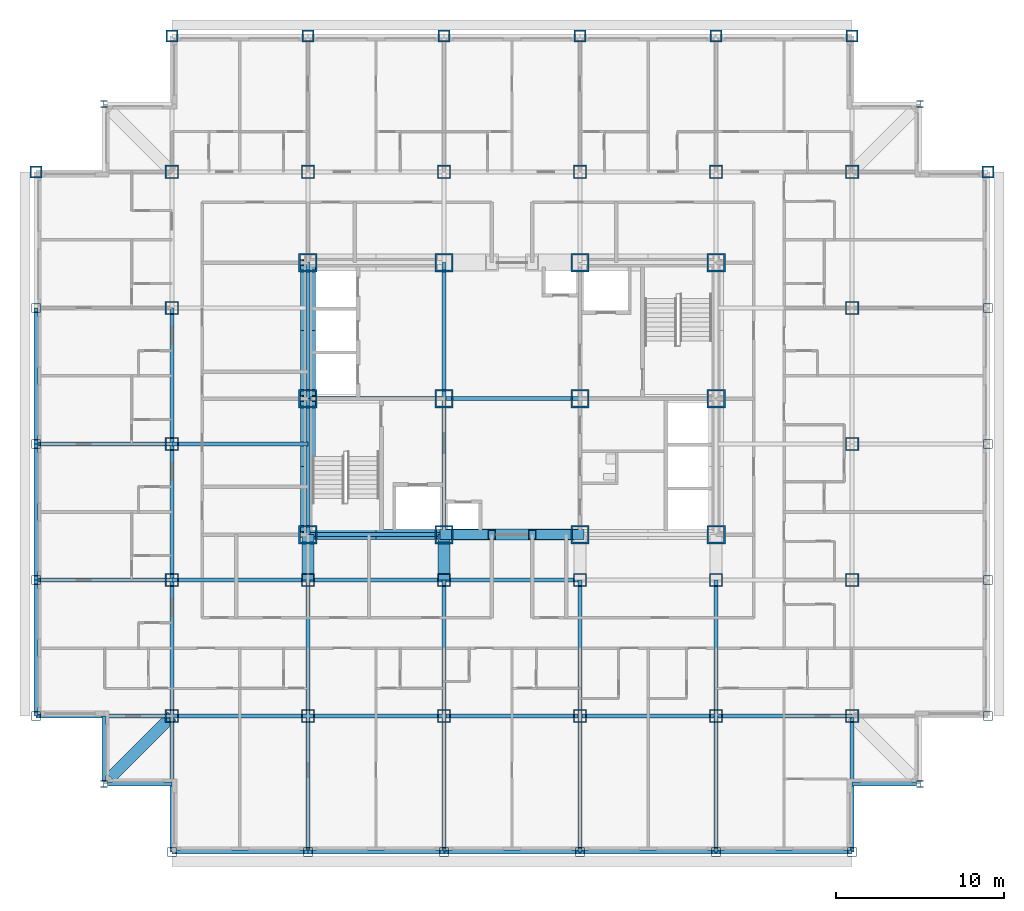
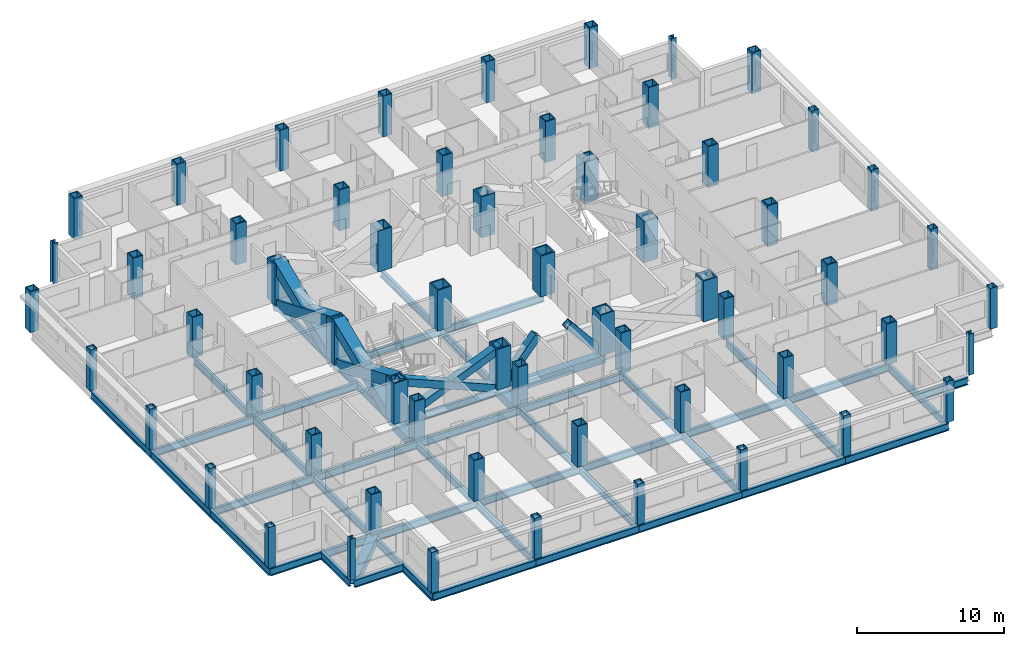
# One storey, part 1 of 14: 60 columns, 47 beams, 8 members.
"""IFC4 building model written with IfcOpenShell, lengths in metres."""

from ifc_helpers import new_model, si_unit, direction, frame, origin, origin_2d, place, context, subcontext, project, spatial, hollow_rectangle, i_section, extrude, material, material_profile, profile_set, type_object, element, save


model = new_model("IFC4")

# Units and contexts
model_context = context("Model", 3, precision=1e-05, world=origin(), true_north=direction((0.0, 1.0)))
body_context = subcontext(model_context, "Body", "Model", "MODEL_VIEW")
ifc_project = project(units=[si_unit("LENGTHUNIT", "METRE"), si_unit("AREAUNIT", "SQUARE_METRE"), si_unit("VOLUMEUNIT", "CUBIC_METRE"), si_unit("PLANEANGLEUNIT", "RADIAN"), si_unit("MASSUNIT", "GRAM", prefix="KILO")], contexts=[model_context])

# Site, building, storey
site_placement = place(None, origin())
site = spatial("IfcSite", under=ifc_project, at=site_placement, CompositionType="ELEMENT")
building_placement = place(site_placement, origin())
building = spatial("IfcBuilding", under=site, at=building_placement, Name="Kopane Lantern Tower", CompositionType="ELEMENT")
storey_placement = place(building_placement, frame((0.0, 0.0, 137.39990234375)))
storey = spatial("IfcBuildingStorey", under=building, at=storey_placement, Name="L35", CompositionType="ELEMENT", Elevation=137.39990234375)

# Columns
ifc_material_1 = material(Name="Steel S355JR", Category="steel")
ifc_material_profile_1 = material_profile(ifc_material_1, hollow_rectangle(XDim=1.10009765625, YDim=1.10009765625, WallThickness=0.10009765625, at=origin_2d()), Name="BOX 1100x1100x100")
ifc_profile_set_1 = profile_set([ifc_material_profile_1], Name="Steel S355JR")
column_type_1 = type_object("IfcColumnType", Name="COLUMN BOX 1100x1100x100", PredefinedType="COLUMN", material=ifc_profile_set_1)
for number, where, z_axis, x_axis, name in (
    (1, (16.199951171875, 24.300048828125, 0.0), (0.0, 0.0, 1.0), (1.0, 0.0, 0.0), "Column 4/E L35"),
    (2, (16.199951171875, 32.39990234375, 0.0), (0.0, 0.0, 1.0), (1.0, 0.0, 0.0), "Column 4/F L35"),
    (3, (16.199951171875, 40.5, 0.0), (0.0, 0.0, 1.0), (1.0, 0.0, 0.0), "Column 4/G L35"),
    (4, (24.300048828125, 24.300048828125, 0.0), (0.0, 0.0, 1.0), (1.0, 0.0, 0.0), "Column 5/E L35"),
    (5, (24.300048828125, 32.39990234375, 0.0), (0.0, 0.0, 1.0), (1.0, 0.0, 0.0), "Column 5/F L35"),
    (6, (24.300048828125, 40.5, 0.0), (0.0, 0.0, 1.0), (1.0, 0.0, 0.0), "Column 5/G L35"),
    (7, (32.39990234375, 24.300048828125, 0.0), (0.0, 0.0, 1.0), (1.0, 0.0, 0.0), "Column 6/E L35"),
    (8, (32.39990234375, 32.39990234375, 0.0), (0.0, 0.0, 1.0), (1.0, 0.0, 0.0), "Column 6/F L35"),
    (9, (32.39990234375, 40.5, 0.0), (0.0, 0.0, 1.0), (1.0, 0.0, 0.0), "Column 6/G L35"),
    (10, (40.5, 24.300048828125, 0.0), (0.0, 0.0, 1.0), (1.0, 0.0, 0.0), "Column 7/E L35"),
    (11, (40.5, 32.39990234375, 0.0), (0.0, 0.0, 1.0), (1.0, 0.0, 0.0), "Column 7/F L35"),
    (12, (40.5, 40.5, 0.0), (0.0, 0.0, 1.0), (1.0, 0.0, 0.0), "Column 7/G L35"),
):
    element("IfcColumn", number, at=place(storey_placement, frame(where, z_axis=z_axis, x_axis=x_axis)), inside=storey, type_object=column_type_1, Name=name, PredefinedType="COLUMN", context=body_context, shape_type="SweptSolid", body=[
        extrude(hollow_rectangle(XDim=1.10009765625, YDim=1.10009765625, WallThickness=0.10009765625, at=origin_2d()), origin(), (0.0, 0.0, 1.0), 3.400146484375),
    ])
ifc_material_2 = material(Name="Steel S355JR", Category="steel")
ifc_material_profile_2 = material_profile(ifc_material_2, hollow_rectangle(XDim=0.550048828125, YDim=0.550048828125, WallThickness=0.0400390625, at=origin_2d()), Name="BOX 550x550x40")
ifc_profile_set_2 = profile_set([ifc_material_profile_2], Name="Steel S355JR")
column_type_2 = type_object("IfcColumnType", Name="COLUMN BOX 550x550x40", PredefinedType="COLUMN", material=ifc_profile_set_2)
for number, where, z_axis, x_axis, name in (
    (13, (0.0, 13.5, 0.0), (0.0, 0.0, 1.0), (1.0, 0.0, 0.0), "Column 2/P2 L35"),
    (14, (0.0, 21.60009765625, 0.0), (0.0, 0.0, 1.0), (1.0, 0.0, 0.0), "Column 2/P3 L35"),
    (15, (0.0, 29.699951171875, 0.0), (0.0, 0.0, 1.0), (1.0, 0.0, 0.0), "Column 2/P4 L35"),
    (16, (0.0, 37.800048828125, 0.0), (0.0, 0.0, 1.0), (1.0, 0.0, 0.0), "Column 2/P5 L35"),
    (17, (8.10009765625, 5.39990234375, 0.0), (0.0, 0.0, 1.0), (1.0, 0.0, 0.0), "Column 3/P1 L35"),
    (18, (16.199951171875, 5.39990234375, 0.0), (0.0, 0.0, 1.0), (1.0, 0.0, 0.0), "Column 4/P1 L35"),
    (19, (24.300048828125, 5.39990234375, 0.0), (0.0, 0.0, 1.0), (1.0, 0.0, 0.0), "Column 5/P1 L35"),
    (20, (32.39990234375, 5.39990234375, 0.0), (0.0, 0.0, 1.0), (1.0, 0.0, 0.0), "Column 6/P1 L35"),
    (21, (40.5, 5.39990234375, 0.0), (0.0, 0.0, 1.0), (1.0, 0.0, 0.0), "Column 7/P1 L35"),
    (22, (48.60009765625, 5.39990234375, 0.0), (0.0, 0.0, 1.0), (1.0, 0.0, 0.0), "Column 8/P1 L35"),
    (23, (56.699951171875, 13.5, 0.0), (0.0, 0.0, 1.0), (1.0, 0.0, 0.0), "Column 9/P2 L35"),
    (24, (56.699951171875, 21.60009765625, 0.0), (0.0, 0.0, 1.0), (1.0, 0.0, 0.0), "Column 9/P3 L35"),
    (25, (56.699951171875, 29.699951171875, 0.0), (0.0, 0.0, 1.0), (1.0, 0.0, 0.0), "Column 9/P4 L35"),
    (26, (56.699951171875, 37.800048828125, 0.0), (0.0, 0.0, 1.0), (1.0, 0.0, 0.0), "Column 9/P5 L35"),
):
    element("IfcColumn", number, at=place(storey_placement, frame(where, z_axis=z_axis, x_axis=x_axis)), inside=storey, type_object=column_type_2, Name=name, PredefinedType="COLUMN", context=body_context, shape_type="SweptSolid", body=[
        extrude(hollow_rectangle(XDim=0.550048828125, YDim=0.550048828125, WallThickness=0.0400390625, at=origin_2d()), origin(), (0.0, 0.0, 1.0), 3.400146484375),
    ])
ifc_material_3 = material(Name="Steel S355JR", Category="steel")
ifc_material_profile_3 = material_profile(ifc_material_3, hollow_rectangle(XDim=0.699951171875, YDim=0.699951171875, WallThickness=0.070068359375, at=origin_2d()), Name="BOX 700x700x70")
ifc_profile_set_3 = profile_set([ifc_material_profile_3], Name="Steel S355JR")
column_type_3 = type_object("IfcColumnType", Name="COLUMN BOX 700x700x70", PredefinedType="COLUMN", material=ifc_profile_set_3)
for number, where, z_axis, x_axis, name in (
    (27, (0.0, 45.89990234375, 0.0), (0.0, 0.0, 1.0), (1.0, 0.0, 0.0), "Column 2/P6 L35"),
    (28, (8.10009765625, 54.0, 0.0), (0.0, 0.0, 1.0), (1.0, 0.0, 0.0), "Column 3/P7 L35"),
    (29, (16.199951171875, 54.0, 0.0), (0.0, 0.0, 1.0), (1.0, 0.0, 0.0), "Column 4/P7 L35"),
    (30, (24.300048828125, 54.0, 0.0), (0.0, 0.0, 1.0), (1.0, 0.0, 0.0), "Column 5/P7 L35"),
    (31, (32.39990234375, 54.0, 0.0), (0.0, 0.0, 1.0), (1.0, 0.0, 0.0), "Column 6/P7 L35"),
    (32, (40.5, 54.0, 0.0), (0.0, 0.0, 1.0), (1.0, 0.0, 0.0), "Column 7/P7 L35"),
    (33, (48.60009765625, 54.0, 0.0), (0.0, 0.0, 1.0), (1.0, 0.0, 0.0), "Column 8/P7 L35"),
    (34, (56.699951171875, 45.89990234375, 0.0), (0.0, 0.0, 1.0), (1.0, 0.0, 0.0), "Column 9/P6 L35"),
):
    element("IfcColumn", number, at=place(storey_placement, frame(where, z_axis=z_axis, x_axis=x_axis)), inside=storey, type_object=column_type_3, Name=name, PredefinedType="COLUMN", context=body_context, shape_type="SweptSolid", body=[
        extrude(hollow_rectangle(XDim=0.699951171875, YDim=0.699951171875, WallThickness=0.070068359375, at=origin_2d()), origin(), (0.0, 0.0, 1.0), 3.400146484375),
    ])
ifc_material_4 = material(Name="Steel S355JR", Category="steel")
ifc_material_profile_4 = material_profile(ifc_material_4, hollow_rectangle(XDim=0.800048828125, YDim=0.800048828125, WallThickness=0.080078125, at=origin_2d()), Name="BOX 800x800x80")
ifc_profile_set_4 = profile_set([ifc_material_profile_4], Name="Steel S355JR")
column_type_4 = type_object("IfcColumnType", Name="COLUMN BOX 800x800x80", PredefinedType="COLUMN", material=ifc_profile_set_4)
for number, where, z_axis, x_axis, name in (
    (35, (8.10009765625, 13.5, 0.0), (0.0, 0.0, 1.0), (1.0, 0.0, 0.0), "Column 3/P2 L35"),
    (36, (8.10009765625, 21.60009765625, 0.0), (0.0, 0.0, 1.0), (1.0, 0.0, 0.0), "Column 3/P3 L35"),
    (37, (8.10009765625, 29.699951171875, 0.0), (0.0, 0.0, 1.0), (1.0, 0.0, 0.0), "Column 3/P4 L35"),
    (38, (8.10009765625, 37.800048828125, 0.0), (0.0, 0.0, 1.0), (1.0, 0.0, 0.0), "Column 3/P5 L35"),
    (39, (8.10009765625, 45.89990234375, 0.0), (0.0, 0.0, 1.0), (1.0, 0.0, 0.0), "Column 3/P6 L35"),
    (40, (16.199951171875, 13.5, 0.0), (0.0, 0.0, 1.0), (1.0, 0.0, 0.0), "Column 4/P2 L35"),
    (41, (16.199951171875, 21.60009765625, 0.0), (0.0, 0.0, 1.0), (1.0, 0.0, 0.0), "Column 4/P3 L35"),
    (42, (16.199951171875, 45.89990234375, 0.0), (0.0, 0.0, 1.0), (1.0, 0.0, 0.0), "Column 4/P6 L35"),
    (43, (24.300048828125, 13.5, 0.0), (0.0, 0.0, 1.0), (1.0, 0.0, 0.0), "Column 5/P2 L35"),
    (44, (24.300048828125, 21.60009765625, 0.0), (0.0, 0.0, 1.0), (1.0, 0.0, 0.0), "Column 5/P3 L35"),
    (45, (24.300048828125, 45.89990234375, 0.0), (0.0, 0.0, 1.0), (1.0, 0.0, 0.0), "Column 5/P6 L35"),
    (46, (32.39990234375, 13.5, 0.0), (0.0, 0.0, 1.0), (1.0, 0.0, 0.0), "Column 6/P2 L35"),
    (47, (32.39990234375, 21.60009765625, 0.0), (0.0, 0.0, 1.0), (1.0, 0.0, 0.0), "Column 6/P3 L35"),
    (48, (32.39990234375, 45.89990234375, 0.0), (0.0, 0.0, 1.0), (1.0, 0.0, 0.0), "Column 6/P6 L35"),
    (49, (40.5, 13.5, 0.0), (0.0, 0.0, 1.0), (1.0, 0.0, 0.0), "Column 7/P2 L35"),
    (50, (40.5, 21.60009765625, 0.0), (0.0, 0.0, 1.0), (1.0, 0.0, 0.0), "Column 7/P3 L35"),
    (51, (40.5, 45.89990234375, 0.0), (0.0, 0.0, 1.0), (1.0, 0.0, 0.0), "Column 7/P6 L35"),
    (52, (48.60009765625, 13.5, 0.0), (0.0, 0.0, 1.0), (1.0, 0.0, 0.0), "Column 8/P2 L35"),
    (53, (48.60009765625, 21.60009765625, 0.0), (0.0, 0.0, 1.0), (1.0, 0.0, 0.0), "Column 8/P3 L35"),
    (54, (48.60009765625, 29.699951171875, 0.0), (0.0, 0.0, 1.0), (1.0, 0.0, 0.0), "Column 8/P4 L35"),
    (55, (48.60009765625, 37.800048828125, 0.0), (0.0, 0.0, 1.0), (1.0, 0.0, 0.0), "Column 8/P5 L35"),
    (56, (48.60009765625, 45.89990234375, 0.0), (0.0, 0.0, 1.0), (1.0, 0.0, 0.0), "Column 8/P6 L35"),
):
    element("IfcColumn", number, at=place(storey_placement, frame(where, z_axis=z_axis, x_axis=x_axis)), inside=storey, type_object=column_type_4, Name=name, PredefinedType="COLUMN", context=body_context, shape_type="SweptSolid", body=[
        extrude(hollow_rectangle(XDim=0.800048828125, YDim=0.800048828125, WallThickness=0.080078125, at=origin_2d()), origin(), (0.0, 0.0, 1.0), 3.400146484375),
    ])
ifc_material_5 = material(Name="Steel S355JR", Category="steel")
ifc_material_profile_5 = material_profile(ifc_material_5, i_section(OverallWidth=0.406982421875, OverallDepth=0.4189453125, WebThickness=0.030517578125, FlangeThickness=0.04931640625, FilletRadius=0.01513671875, at=origin_2d()), Name="UC 356x406x393")
ifc_profile_set_5 = profile_set([ifc_material_profile_5], Name="Steel S355JR")
column_type_5 = type_object("IfcColumnType", Name="COLUMN UC 356x406x393", PredefinedType="COLUMN", material=ifc_profile_set_5)
for number, where, z_axis, x_axis, name in (
    (57, (4.050048828125, 9.449951171875, 0.0), (0.0, 0.0, 1.0), (1.0, 0.0, 0.0), "Column 4.05/9.45 L35"),
    (58, (4.050048828125, 49.949951171875, 0.0), (0.0, 0.0, 1.0), (1.0, 0.0, 0.0), "Column 4.05/49.95 L35"),
    (59, (52.64990234375, 9.449951171875, 0.0), (0.0, 0.0, 1.0), (1.0, 0.0, 0.0), "Column 52.65/9.45 L35"),
    (60, (52.64990234375, 49.949951171875, 0.0), (0.0, 0.0, 1.0), (1.0, 0.0, 0.0), "Column 52.65/49.95 L35"),
):
    element("IfcColumn", number, at=place(storey_placement, frame(where, z_axis=z_axis, x_axis=x_axis)), inside=storey, type_object=column_type_5, Name=name, PredefinedType="COLUMN", context=body_context, shape_type="SweptSolid", body=[
        extrude(i_section(OverallWidth=0.406982421875, OverallDepth=0.4189453125, WebThickness=0.030517578125, FlangeThickness=0.04931640625, FilletRadius=0.01513671875, at=origin_2d()), origin(), (0.0, 0.0, 1.0), 3.400146484375),
    ])

# Members
ifc_material_6 = material(Name="Steel S355JR", Category="steel")
ifc_material_profile_6 = material_profile(ifc_material_6, hollow_rectangle(XDim=0.60009765625, YDim=0.60009765625, WallThickness=0.050048828125, at=origin_2d()), Name="BOX 600x600x50")
ifc_profile_set_6 = profile_set([ifc_material_profile_6], Name="Steel S355JR")
member_type_1 = type_object("IfcMemberType", Name="BRACE BOX 600x600x50", PredefinedType="BRACE", material=ifc_profile_set_6)
for number, where, z_axis, x_axis, name in (
    (61, (16.199951171875, 24.300048828125, -0.2099609375), (0.92205908274, 0.0, 0.387049154419), (0.0, 1.0, 0.0), "Core brace L35"),
    (62, (24.300048828125, 24.300048828125, -0.2099609375), (-0.92205908274, 0.0, 0.387049154419), (0.0, -1.0, 0.0), "Core brace L35"),
):
    element("IfcMember", number, at=place(storey_placement, frame(where, z_axis=z_axis, x_axis=x_axis)), inside=storey, type_object=member_type_1, Name=name, PredefinedType="BRACE", context=body_context, shape_type="SweptSolid", body=[
        extrude(hollow_rectangle(XDim=0.60009765625, YDim=0.60009765625, WallThickness=0.050048828125, at=origin_2d()), origin(), (0.0, 0.0, 1.0), 8.784912109375),
    ])
for number, where, z_axis, x_axis, name in (
    (63, (24.300048828125, 24.300048828125, -0.2099609375), (0.642363165114, 0.0, 0.766400394118), (0.0, 1.0, 0.0), "Core brace L35"),
    (64, (32.39990234375, 24.300048828125, -0.2099609375), (-0.642363165114, 0.0, 0.766400394118), (0.0, -1.0, 0.0), "Core brace L35"),
):
    element("IfcMember", number, at=place(storey_placement, frame(where, z_axis=z_axis, x_axis=x_axis)), inside=storey, type_object=member_type_1, Name=name, PredefinedType="BRACE", context=body_context, shape_type="SweptSolid", body=[
        extrude(hollow_rectangle(XDim=0.60009765625, YDim=0.60009765625, WallThickness=0.050048828125, at=origin_2d()), origin(), (0.0, 0.0, 1.0), 4.4365234375),
    ])
ifc_material_7 = material(Name="Steel S355JR", Category="steel")
ifc_material_profile_7 = material_profile(ifc_material_7, hollow_rectangle(XDim=0.89990234375, YDim=0.89990234375, WallThickness=0.090087890625, at=origin_2d()), Name="BOX 900x900x90")
ifc_profile_set_7 = profile_set([ifc_material_profile_7], Name="Steel S355JR")
member_type_2 = type_object("IfcMemberType", Name="BRACE BOX 900x900x90", PredefinedType="BRACE", material=ifc_profile_set_7)
for number, where, z_axis, x_axis, name in (
    (65, (16.199951171875, 24.300048828125, -0.2099609375), (0.0, 0.92205491925, 0.387059072864), (-1.0, 0.0, 0.0), "Core brace L35"),
    (66, (16.199951171875, 32.39990234375, -0.2099609375), (0.0, -0.92205491925, 0.387059072864), (1.0, 0.0, 0.0), "Core brace L35"),
):
    element("IfcMember", number, at=place(storey_placement, frame(where, z_axis=z_axis, x_axis=x_axis)), inside=storey, type_object=member_type_2, Name=name, PredefinedType="BRACE", context=body_context, shape_type="SweptSolid", body=[
        extrude(hollow_rectangle(XDim=0.89990234375, YDim=0.89990234375, WallThickness=0.090087890625, at=origin_2d()), origin(), (0.0, 0.0, 1.0), 8.78466796875),
    ])
for number, where, z_axis, x_axis, name in (
    (67, (16.199951171875, 32.39990234375, -0.2099609375), (0.0, 0.92205908274, 0.387049154419), (-1.0, 0.0, 0.0), "Core brace L35"),
    (68, (16.199951171875, 40.5, -0.2099609375), (0.0, -0.92205908274, 0.387049154419), (1.0, 0.0, 0.0), "Core brace L35"),
):
    element("IfcMember", number, at=place(storey_placement, frame(where, z_axis=z_axis, x_axis=x_axis)), inside=storey, type_object=member_type_2, Name=name, PredefinedType="BRACE", context=body_context, shape_type="SweptSolid", body=[
        extrude(hollow_rectangle(XDim=0.89990234375, YDim=0.89990234375, WallThickness=0.090087890625, at=origin_2d()), origin(), (0.0, 0.0, 1.0), 8.784912109375),
    ])

# Beams
ifc_material_8 = material(Name="Steel S355JR", Category="steel")
ifc_material_profile_8 = material_profile(ifc_material_8, i_section(OverallWidth=0.22900390625, OverallDepth=0.6123046875, WebThickness=0.011962890625, FlangeThickness=0.01953125, FilletRadius=0.0126953125, at=origin_2d()), Name="UB 610x229x125")
ifc_profile_set_8 = profile_set([ifc_material_profile_8], Name="Steel S355JR")
beam_type_1 = type_object("IfcBeamType", Name="CORE BEAM UB 610x229x125", PredefinedType="BEAM", material=ifc_profile_set_8)
beam_1_placement = place(storey_placement, frame((16.199951171875, 32.39990234375, -0.51611328125), z_axis=(1.0, 0.0, 0.0), x_axis=(0.0, 1.0, 0.0)))
element("IfcBeam", 69, at=beam_1_placement, inside=storey, type_object=beam_type_1, Name="Core Beam L35", PredefinedType="BEAM", context=body_context, shape_type="SweptSolid", body=[
    extrude(i_section(OverallWidth=0.22900390625, OverallDepth=0.6123046875, WebThickness=0.011962890625, FlangeThickness=0.01953125, FilletRadius=0.0126953125, at=origin_2d()), origin(), (0.0, 0.0, 1.0), 8.10009765625),
])
beam_2_placement = place(storey_placement, frame((24.300048828125, 24.300048828125, -0.51611328125), z_axis=(0.0, 1.0, 0.0), x_axis=(-1.0, 0.0, 0.0)))
element("IfcBeam", 70, at=beam_2_placement, inside=storey, type_object=beam_type_1, Name="Core Beam L35", PredefinedType="BEAM", context=body_context, shape_type="SweptSolid", body=[
    extrude(i_section(OverallWidth=0.22900390625, OverallDepth=0.6123046875, WebThickness=0.011962890625, FlangeThickness=0.01953125, FilletRadius=0.0126953125, at=origin_2d()), origin(), (0.0, 0.0, 1.0), 8.099853515625),
])
beam_3_placement = place(storey_placement, frame((24.300048828125, 32.39990234375, -0.51611328125), z_axis=(0.0, 1.0, 0.0), x_axis=(-1.0, 0.0, 0.0)))
element("IfcBeam", 71, at=beam_3_placement, inside=storey, type_object=beam_type_1, Name="Core Beam L35", PredefinedType="BEAM", context=body_context, shape_type="SweptSolid", body=[
    extrude(i_section(OverallWidth=0.22900390625, OverallDepth=0.6123046875, WebThickness=0.011962890625, FlangeThickness=0.01953125, FilletRadius=0.0126953125, at=origin_2d()), origin(), (0.0, 0.0, 1.0), 8.10009765625),
])
beam_4_placement = place(storey_placement, frame((24.300048828125, 32.39990234375, -0.51611328125), z_axis=(1.0, 0.0, 0.0), x_axis=(0.0, 1.0, 0.0)))
element("IfcBeam", 72, at=beam_4_placement, inside=storey, type_object=beam_type_1, Name="Core Beam L35", PredefinedType="BEAM", context=body_context, shape_type="SweptSolid", body=[
    extrude(i_section(OverallWidth=0.22900390625, OverallDepth=0.6123046875, WebThickness=0.011962890625, FlangeThickness=0.01953125, FilletRadius=0.0126953125, at=origin_2d()), origin(), (0.0, 0.0, 1.0), 8.099853515625),
])
ifc_material_9 = material(Name="Steel S355JR", Category="steel")
ifc_material_profile_9 = material_profile(ifc_material_9, hollow_rectangle(XDim=0.699951171875, YDim=0.699951171875, WallThickness=0.06005859375, at=origin_2d()), Name="BOX 700x700x60")
ifc_profile_set_9 = profile_set([ifc_material_profile_9], Name="Steel S355JR")
beam_type_2 = type_object("IfcBeamType", Name="CORNER TIE BEAM BOX 700x700x60", PredefinedType="BEAM", material=ifc_profile_set_9)
beam_5_placement = place(storey_placement, frame((4.447509765625, 9.847412109375, -0.559814453125), z_axis=(0.707106781187, 0.707106781187, 0.0), x_axis=(-0.707106781187, 0.707106781187, 0.0)))
element("IfcBeam", 73, at=beam_5_placement, inside=storey, type_object=beam_type_2, Name="Corner Tie Beam L35", PredefinedType="BEAM", context=body_context, shape_type="SweptSolid", body=[
    extrude(hollow_rectangle(XDim=0.699951171875, YDim=0.699951171875, WallThickness=0.06005859375, at=origin_2d()), origin(), (0.0, 0.0, 1.0), 5.16552734375),
])
ifc_material_10 = material(Name="Steel S355JR", Category="steel")
ifc_material_profile_10 = material_profile(ifc_material_10, i_section(OverallWidth=0.22900390625, OverallDepth=0.6123046875, WebThickness=0.011962890625, FlangeThickness=0.01953125, FilletRadius=0.0126953125, at=origin_2d()), Name="UB 610x229x125")
ifc_profile_set_10 = profile_set([ifc_material_profile_10], Name="Steel S355JR")
beam_type_3 = type_object("IfcBeamType", Name="EDGE BEAM UB 610x229x125", PredefinedType="BEAM", material=ifc_profile_set_10)
beam_6_placement = place(storey_placement, frame((4.050048828125, 9.653564453125, -0.51611328125), z_axis=(0.0, 1.0, 0.0), x_axis=(-1.0, 0.0, 0.0)))
element("IfcBeam", 74, at=beam_6_placement, inside=storey, type_object=beam_type_3, Name="Edge Beam L35", PredefinedType="BEAM", context=body_context, shape_type="SweptSolid", body=[
    extrude(i_section(OverallWidth=0.22900390625, OverallDepth=0.6123046875, WebThickness=0.011962890625, FlangeThickness=0.01953125, FilletRadius=0.0126953125, at=origin_2d()), origin(), (0.0, 0.0, 1.0), 3.846435546875),
])
beam_7_placement = place(storey_placement, frame((4.25341796875, 9.449951171875, -0.51611328125), z_axis=(1.0, 0.0, 0.0), x_axis=(0.0, 1.0, 0.0)))
element("IfcBeam", 75, at=beam_7_placement, inside=storey, type_object=beam_type_3, Name="Edge Beam L35", PredefinedType="BEAM", context=body_context, shape_type="SweptSolid", body=[
    extrude(i_section(OverallWidth=0.22900390625, OverallDepth=0.6123046875, WebThickness=0.011962890625, FlangeThickness=0.01953125, FilletRadius=0.0126953125, at=origin_2d()), origin(), (0.0, 0.0, 1.0), 3.8466796875),
])
beam_8_placement = place(storey_placement, frame((52.446533203125, 9.449951171875, -0.51611328125), z_axis=(-1.0, 0.0, 0.0), x_axis=(0.0, -1.0, 0.0)))
element("IfcBeam", 76, at=beam_8_placement, inside=storey, type_object=beam_type_3, Name="Edge Beam L35", PredefinedType="BEAM", context=body_context, shape_type="SweptSolid", body=[
    extrude(i_section(OverallWidth=0.22900390625, OverallDepth=0.6123046875, WebThickness=0.011962890625, FlangeThickness=0.01953125, FilletRadius=0.0126953125, at=origin_2d()), origin(), (0.0, 0.0, 1.0), 3.846435546875),
])
ifc_material_11 = material(Name="Steel S355JR", Category="steel")
ifc_material_profile_11 = material_profile(ifc_material_11, hollow_rectangle(XDim=0.699951171875, YDim=0.699951171875, WallThickness=0.06005859375, at=origin_2d()), Name="BOX 700x700x60")
ifc_profile_set_11 = profile_set([ifc_material_profile_11], Name="Steel S355JR")
beam_type_4 = type_object("IfcBeamType", Name="GIRDER BOX 700x700x60", PredefinedType="BEAM", material=ifc_profile_set_11)
for number, where, z_axis, x_axis, name in (
    (77, (16.199951171875, 21.60009765625, -0.559814453125), (0.0, 1.0, 0.0), (-1.0, 0.0, 0.0), "Girder L35"),
    (78, (24.300048828125, 21.60009765625, -0.559814453125), (0.0, 1.0, 0.0), (-1.0, 0.0, 0.0), "Girder L35"),
):
    element("IfcBeam", number, at=place(storey_placement, frame(where, z_axis=z_axis, x_axis=x_axis)), inside=storey, type_object=beam_type_4, Name=name, PredefinedType="BEAM", context=body_context, shape_type="SweptSolid", body=[
        extrude(hollow_rectangle(XDim=0.699951171875, YDim=0.699951171875, WallThickness=0.06005859375, at=origin_2d()), origin(), (0.0, 0.0, 1.0), 2.699951171875),
    ])
ifc_material_12 = material(Name="Steel S355JR", Category="steel")
ifc_material_profile_12 = material_profile(ifc_material_12, i_section(OverallWidth=0.22900390625, OverallDepth=0.6123046875, WebThickness=0.011962890625, FlangeThickness=0.01953125, FilletRadius=0.0126953125, at=origin_2d()), Name="UB 610x229x125")
ifc_profile_set_12 = profile_set([ifc_material_profile_12], Name="Steel S355JR")
beam_type_5 = type_object("IfcBeamType", Name="GIRDER UB 610x229x125", PredefinedType="BEAM", material=ifc_profile_set_12)
for number, where, z_axis, x_axis, name in (
    (79, (0.0, 13.5, -0.51611328125), (0.0, 1.0, 0.0), (-1.0, 0.0, 0.0), "Girder L35"),
    (80, (0.0, 13.5, -0.51611328125), (1.0, 0.0, 0.0), (0.0, 1.0, 0.0), "Girder L35"),
):
    element("IfcBeam", number, at=place(storey_placement, frame(where, z_axis=z_axis, x_axis=x_axis)), inside=storey, type_object=beam_type_5, Name=name, PredefinedType="BEAM", context=body_context, shape_type="SweptSolid", body=[
        extrude(i_section(OverallWidth=0.22900390625, OverallDepth=0.6123046875, WebThickness=0.011962890625, FlangeThickness=0.01953125, FilletRadius=0.0126953125, at=origin_2d()), origin(), (0.0, 0.0, 1.0), 8.10009765625),
    ])
beam_9_placement = place(storey_placement, frame((0.0, 21.60009765625, -0.51611328125), z_axis=(0.0, 1.0, 0.0), x_axis=(-1.0, 0.0, 0.0)))
element("IfcBeam", 81, at=beam_9_placement, inside=storey, type_object=beam_type_5, Name="Girder L35", PredefinedType="BEAM", context=body_context, shape_type="SweptSolid", body=[
    extrude(i_section(OverallWidth=0.22900390625, OverallDepth=0.6123046875, WebThickness=0.011962890625, FlangeThickness=0.01953125, FilletRadius=0.0126953125, at=origin_2d()), origin(), (0.0, 0.0, 1.0), 8.099853515625),
])
for number, where, z_axis, x_axis, name in (
    (82, (0.0, 21.60009765625, -0.51611328125), (1.0, 0.0, 0.0), (0.0, 1.0, 0.0), "Girder L35"),
    (83, (0.0, 29.699951171875, -0.51611328125), (0.0, 1.0, 0.0), (-1.0, 0.0, 0.0), "Girder L35"),
    (84, (0.0, 29.699951171875, -0.51611328125), (1.0, 0.0, 0.0), (0.0, 1.0, 0.0), "Girder L35"),
    (85, (8.10009765625, 5.39990234375, -0.51611328125), (0.0, 1.0, 0.0), (-1.0, 0.0, 0.0), "Girder L35"),
):
    element("IfcBeam", number, at=place(storey_placement, frame(where, z_axis=z_axis, x_axis=x_axis)), inside=storey, type_object=beam_type_5, Name=name, PredefinedType="BEAM", context=body_context, shape_type="SweptSolid", body=[
        extrude(i_section(OverallWidth=0.22900390625, OverallDepth=0.6123046875, WebThickness=0.011962890625, FlangeThickness=0.01953125, FilletRadius=0.0126953125, at=origin_2d()), origin(), (0.0, 0.0, 1.0), 8.10009765625),
    ])
beam_10_placement = place(storey_placement, frame((8.10009765625, 5.39990234375, -0.51611328125), z_axis=(1.0, 0.0, 0.0), x_axis=(0.0, 1.0, 0.0)))
element("IfcBeam", 86, at=beam_10_placement, inside=storey, type_object=beam_type_5, Name="Girder L35", PredefinedType="BEAM", context=body_context, shape_type="SweptSolid", body=[
    extrude(i_section(OverallWidth=0.22900390625, OverallDepth=0.6123046875, WebThickness=0.011962890625, FlangeThickness=0.01953125, FilletRadius=0.0126953125, at=origin_2d()), origin(), (0.0, 0.0, 1.0), 8.099853515625),
])
beam_11_placement = place(storey_placement, frame((8.10009765625, 13.5, -0.51611328125), z_axis=(0.0, 1.0, 0.0), x_axis=(-1.0, 0.0, 0.0)))
element("IfcBeam", 87, at=beam_11_placement, inside=storey, type_object=beam_type_5, Name="Girder L35", PredefinedType="BEAM", context=body_context, shape_type="SweptSolid", body=[
    extrude(i_section(OverallWidth=0.22900390625, OverallDepth=0.6123046875, WebThickness=0.011962890625, FlangeThickness=0.01953125, FilletRadius=0.0126953125, at=origin_2d()), origin(), (0.0, 0.0, 1.0), 8.10009765625),
])
for number, where, z_axis, x_axis, name in (
    (88, (8.10009765625, 13.5, -0.51611328125), (1.0, 0.0, 0.0), (0.0, 1.0, 0.0), "Girder L35"),
    (89, (8.10009765625, 21.60009765625, -0.51611328125), (0.0, 1.0, 0.0), (-1.0, 0.0, 0.0), "Girder L35"),
    (90, (8.10009765625, 21.60009765625, -0.51611328125), (1.0, 0.0, 0.0), (0.0, 1.0, 0.0), "Girder L35"),
):
    element("IfcBeam", number, at=place(storey_placement, frame(where, z_axis=z_axis, x_axis=x_axis)), inside=storey, type_object=beam_type_5, Name=name, PredefinedType="BEAM", context=body_context, shape_type="SweptSolid", body=[
        extrude(i_section(OverallWidth=0.22900390625, OverallDepth=0.6123046875, WebThickness=0.011962890625, FlangeThickness=0.01953125, FilletRadius=0.0126953125, at=origin_2d()), origin(), (0.0, 0.0, 1.0), 8.099853515625),
    ])
beam_12_placement = place(storey_placement, frame((8.10009765625, 29.699951171875, -0.51611328125), z_axis=(0.0, 1.0, 0.0), x_axis=(-1.0, 0.0, 0.0)))
element("IfcBeam", 91, at=beam_12_placement, inside=storey, type_object=beam_type_5, Name="Girder L35", PredefinedType="BEAM", context=body_context, shape_type="SweptSolid", body=[
    extrude(i_section(OverallWidth=0.22900390625, OverallDepth=0.6123046875, WebThickness=0.011962890625, FlangeThickness=0.01953125, FilletRadius=0.0126953125, at=origin_2d()), origin(), (0.0, 0.0, 1.0), 8.10009765625),
])
beam_13_placement = place(storey_placement, frame((8.10009765625, 29.699951171875, -0.51611328125), z_axis=(1.0, 0.0, 0.0), x_axis=(0.0, 1.0, 0.0)))
element("IfcBeam", 92, at=beam_13_placement, inside=storey, type_object=beam_type_5, Name="Girder L35", PredefinedType="BEAM", context=body_context, shape_type="SweptSolid", body=[
    extrude(i_section(OverallWidth=0.22900390625, OverallDepth=0.6123046875, WebThickness=0.011962890625, FlangeThickness=0.01953125, FilletRadius=0.0126953125, at=origin_2d()), origin(), (0.0, 0.0, 1.0), 8.099853515625),
])
for number, where, z_axis, x_axis, name in (
    (93, (16.199951171875, 5.39990234375, -0.51611328125), (0.0, 1.0, 0.0), (-1.0, 0.0, 0.0), "Girder L35"),
    (94, (16.199951171875, 5.39990234375, -0.51611328125), (1.0, 0.0, 0.0), (0.0, 1.0, 0.0), "Girder L35"),
    (95, (16.199951171875, 13.5, -0.51611328125), (0.0, 1.0, 0.0), (-1.0, 0.0, 0.0), "Girder L35"),
    (96, (16.199951171875, 13.5, -0.51611328125), (1.0, 0.0, 0.0), (0.0, 1.0, 0.0), "Girder L35"),
    (97, (16.199951171875, 21.60009765625, -0.51611328125), (1.0, 0.0, 0.0), (0.0, 1.0, 0.0), "Girder L35"),
):
    element("IfcBeam", number, at=place(storey_placement, frame(where, z_axis=z_axis, x_axis=x_axis)), inside=storey, type_object=beam_type_5, Name=name, PredefinedType="BEAM", context=body_context, shape_type="SweptSolid", body=[
        extrude(i_section(OverallWidth=0.22900390625, OverallDepth=0.6123046875, WebThickness=0.011962890625, FlangeThickness=0.01953125, FilletRadius=0.0126953125, at=origin_2d()), origin(), (0.0, 0.0, 1.0), 8.10009765625),
    ])
beam_14_placement = place(storey_placement, frame((16.199951171875, 24.300048828125, -0.51611328125), z_axis=(0.0, 1.0, 0.0), x_axis=(-1.0, 0.0, 0.0)))
element("IfcBeam", 98, at=beam_14_placement, inside=storey, type_object=beam_type_5, Name="Girder L35", PredefinedType="BEAM", context=body_context, shape_type="SweptSolid", body=[
    extrude(i_section(OverallWidth=0.22900390625, OverallDepth=0.6123046875, WebThickness=0.011962890625, FlangeThickness=0.01953125, FilletRadius=0.0126953125, at=origin_2d()), origin(), (0.0, 0.0, 1.0), 8.099853515625),
])
for number, where, z_axis, x_axis, name in (
    (99, (16.199951171875, 24.300048828125, -0.51611328125), (1.0, 0.0, 0.0), (0.0, 1.0, 0.0), "Girder L35"),
    (100, (16.199951171875, 32.39990234375, -0.51611328125), (0.0, 1.0, 0.0), (-1.0, 0.0, 0.0), "Girder L35"),
    (101, (24.300048828125, 5.39990234375, -0.51611328125), (0.0, 1.0, 0.0), (-1.0, 0.0, 0.0), "Girder L35"),
):
    element("IfcBeam", number, at=place(storey_placement, frame(where, z_axis=z_axis, x_axis=x_axis)), inside=storey, type_object=beam_type_5, Name=name, PredefinedType="BEAM", context=body_context, shape_type="SweptSolid", body=[
        extrude(i_section(OverallWidth=0.22900390625, OverallDepth=0.6123046875, WebThickness=0.011962890625, FlangeThickness=0.01953125, FilletRadius=0.0126953125, at=origin_2d()), origin(), (0.0, 0.0, 1.0), 8.10009765625),
    ])
beam_15_placement = place(storey_placement, frame((24.300048828125, 5.39990234375, -0.51611328125), z_axis=(1.0, 0.0, 0.0), x_axis=(0.0, 1.0, 0.0)))
element("IfcBeam", 102, at=beam_15_placement, inside=storey, type_object=beam_type_5, Name="Girder L35", PredefinedType="BEAM", context=body_context, shape_type="SweptSolid", body=[
    extrude(i_section(OverallWidth=0.22900390625, OverallDepth=0.6123046875, WebThickness=0.011962890625, FlangeThickness=0.01953125, FilletRadius=0.0126953125, at=origin_2d()), origin(), (0.0, 0.0, 1.0), 8.099853515625),
])
beam_16_placement = place(storey_placement, frame((24.300048828125, 13.5, -0.51611328125), z_axis=(0.0, 1.0, 0.0), x_axis=(-1.0, 0.0, 0.0)))
element("IfcBeam", 103, at=beam_16_placement, inside=storey, type_object=beam_type_5, Name="Girder L35", PredefinedType="BEAM", context=body_context, shape_type="SweptSolid", body=[
    extrude(i_section(OverallWidth=0.22900390625, OverallDepth=0.6123046875, WebThickness=0.011962890625, FlangeThickness=0.01953125, FilletRadius=0.0126953125, at=origin_2d()), origin(), (0.0, 0.0, 1.0), 8.10009765625),
])
for number, where, z_axis, x_axis, name in (
    (104, (24.300048828125, 13.5, -0.51611328125), (1.0, 0.0, 0.0), (0.0, 1.0, 0.0), "Girder L35"),
    (105, (24.300048828125, 21.60009765625, -0.51611328125), (1.0, 0.0, 0.0), (0.0, 1.0, 0.0), "Girder L35"),
):
    element("IfcBeam", number, at=place(storey_placement, frame(where, z_axis=z_axis, x_axis=x_axis)), inside=storey, type_object=beam_type_5, Name=name, PredefinedType="BEAM", context=body_context, shape_type="SweptSolid", body=[
        extrude(i_section(OverallWidth=0.22900390625, OverallDepth=0.6123046875, WebThickness=0.011962890625, FlangeThickness=0.01953125, FilletRadius=0.0126953125, at=origin_2d()), origin(), (0.0, 0.0, 1.0), 8.099853515625),
    ])
for number, where, z_axis, x_axis, name in (
    (106, (32.39990234375, 5.39990234375, -0.51611328125), (0.0, 1.0, 0.0), (-1.0, 0.0, 0.0), "Girder L35"),
    (107, (32.39990234375, 5.39990234375, -0.51611328125), (1.0, 0.0, 0.0), (0.0, 1.0, 0.0), "Girder L35"),
    (108, (32.39990234375, 13.5, -0.51611328125), (0.0, 1.0, 0.0), (-1.0, 0.0, 0.0), "Girder L35"),
    (109, (32.39990234375, 13.5, -0.51611328125), (1.0, 0.0, 0.0), (0.0, 1.0, 0.0), "Girder L35"),
    (110, (40.5, 5.39990234375, -0.51611328125), (0.0, 1.0, 0.0), (-1.0, 0.0, 0.0), "Girder L35"),
    (111, (40.5, 5.39990234375, -0.51611328125), (1.0, 0.0, 0.0), (0.0, 1.0, 0.0), "Girder L35"),
    (112, (40.5, 13.5, -0.51611328125), (0.0, 1.0, 0.0), (-1.0, 0.0, 0.0), "Girder L35"),
    (113, (40.5, 13.5, -0.51611328125), (1.0, 0.0, 0.0), (0.0, 1.0, 0.0), "Girder L35"),
    (114, (48.60009765625, 5.39990234375, -0.51611328125), (0.0, 1.0, 0.0), (-1.0, 0.0, 0.0), "Girder L35"),
):
    element("IfcBeam", number, at=place(storey_placement, frame(where, z_axis=z_axis, x_axis=x_axis)), inside=storey, type_object=beam_type_5, Name=name, PredefinedType="BEAM", context=body_context, shape_type="SweptSolid", body=[
        extrude(i_section(OverallWidth=0.22900390625, OverallDepth=0.6123046875, WebThickness=0.011962890625, FlangeThickness=0.01953125, FilletRadius=0.0126953125, at=origin_2d()), origin(), (0.0, 0.0, 1.0), 8.10009765625),
    ])
ifc_material_13 = material(Name="Steel S355JR", Category="steel")
ifc_material_profile_13 = material_profile(ifc_material_13, hollow_rectangle(XDim=0.64990234375, YDim=0.64990234375, WallThickness=0.070068359375, at=origin_2d()), Name="BOX 650x650x70")
ifc_profile_set_13 = profile_set([ifc_material_profile_13], Name="Steel S355JR")
beam_type_6 = type_object("IfcBeamType", Name="LINK BEAM BOX 650x650x70", PredefinedType="BEAM", material=ifc_profile_set_13)
beam_17_placement = place(storey_placement, frame((24.300048828125, 24.300048828125, -0.534912109375), z_axis=(1.0, 0.0, 0.0), x_axis=(0.0, 1.0, 0.0)))
element("IfcBeam", 115, at=beam_17_placement, inside=storey, type_object=beam_type_6, Name="Link Beam L35", PredefinedType="BEAM", context=body_context, shape_type="SweptSolid", body=[
    extrude(hollow_rectangle(XDim=0.64990234375, YDim=0.64990234375, WallThickness=0.070068359375, at=origin_2d()), origin(), (0.0, 0.0, 1.0), 8.099853515625),
])

save(model, "model.ifc")
